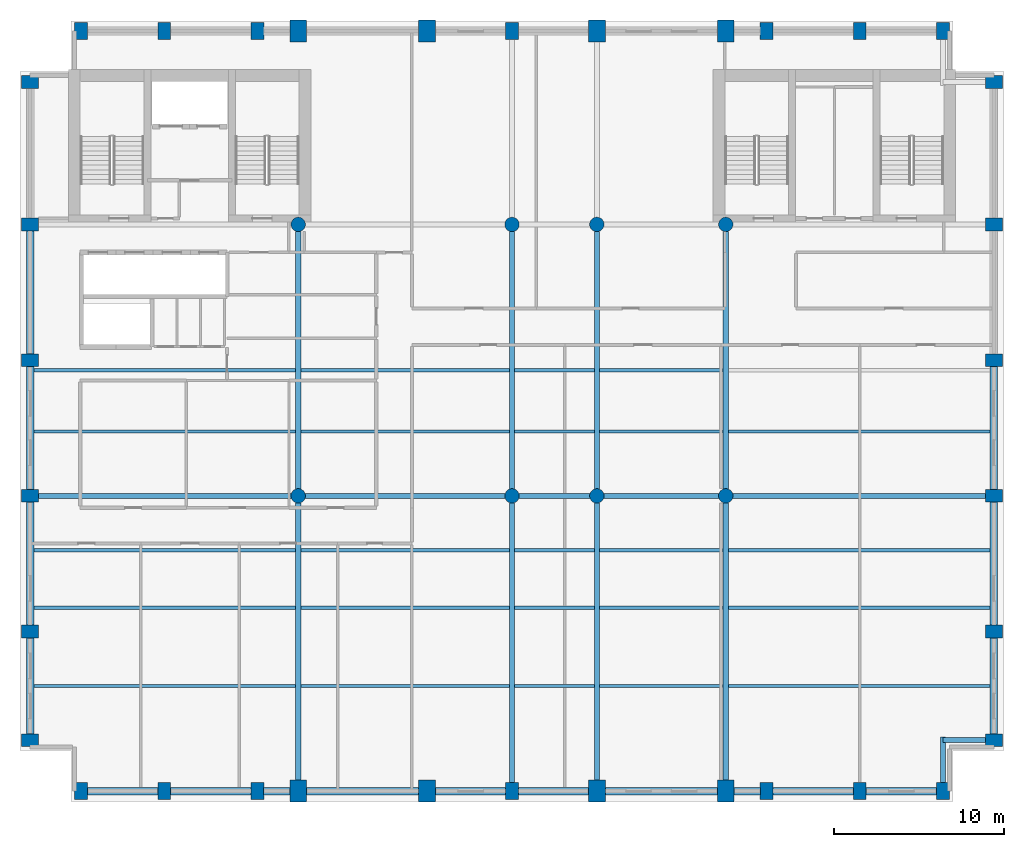
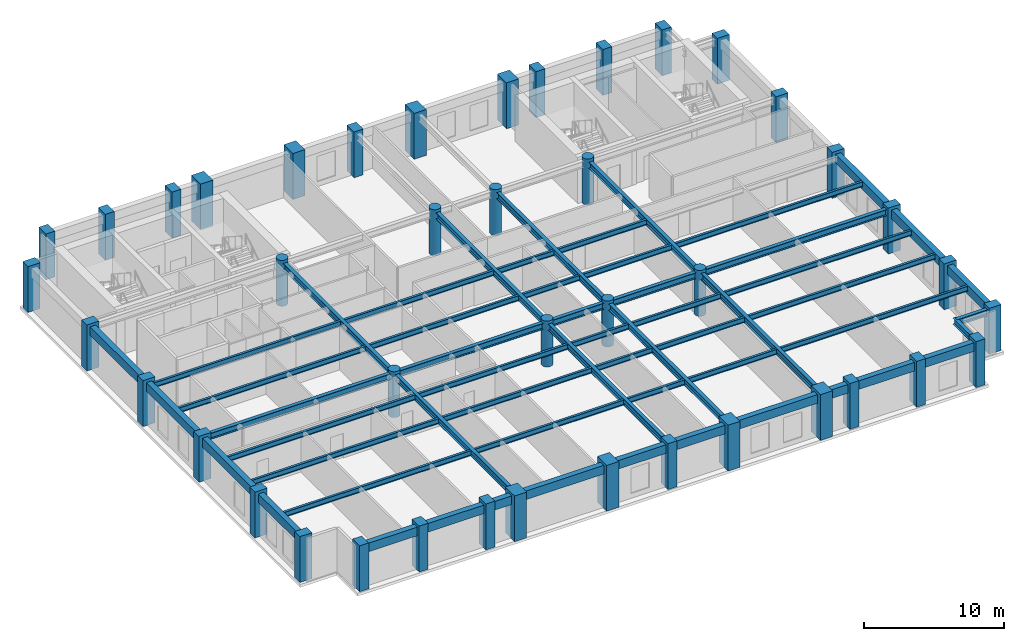
# One storey, part 1 of 8: 56 beams, 42 columns.
"""IFC4 building model written with IfcOpenShell, lengths in metres."""

from ifc_helpers import new_model, si_unit, direction, frame, origin, origin_2d, place, context, subcontext, project, spatial, rectangle, circle, i_section, extrude, material, material_profile, profile_set, type_object, element, save


model = new_model("IFC4")

# Units and contexts
model_context = context("Model", 3, precision=1e-05, world=origin(), true_north=direction((0.0, 1.0)))
body_context = subcontext(model_context, "Body", "Model", "MODEL_VIEW")
ifc_project = project(units=[si_unit("LENGTHUNIT", "METRE"), si_unit("AREAUNIT", "SQUARE_METRE"), si_unit("VOLUMEUNIT", "CUBIC_METRE"), si_unit("PLANEANGLEUNIT", "RADIAN"), si_unit("MASSUNIT", "GRAM", prefix="KILO")], contexts=[model_context])

# Site, building, storey
site_placement = place(None, origin())
site = spatial("IfcSite", under=ifc_project, at=site_placement, CompositionType="ELEMENT")
building_placement = place(site_placement, origin())
building = spatial("IfcBuilding", under=site, at=building_placement, Name="Sulina Concourse Tower", CompositionType="ELEMENT")
storey_placement = place(building_placement, frame((0.0, 0.0, 252.60009765625)))
storey = spatial("IfcBuildingStorey", under=building, at=storey_placement, Name="L61", CompositionType="ELEMENT", Elevation=252.60009765625)

# Columns
ifc_material_1 = material(Name="Precast concrete C50/60", Category="concrete")
ifc_material_profile_1 = material_profile(ifc_material_1, rectangle(XDim=0.75, YDim=1.0, at=origin_2d()), Name="PC 750x1000")
ifc_profile_set_1 = profile_set([ifc_material_profile_1], Name="Precast concrete C50/60")
column_type_1 = type_object("IfcColumnType", Name="Precast Tube Pier Zone 4 750x1000", PredefinedType="COLUMN", material=ifc_profile_set_1)
for number, where, z_axis, x_axis, name in (
    (1, (3.60009765625, 0.60009765625, 0.0), (0.0, 0.0, 1.0), (1.0, 0.0, 0.0), "L61 structural column TP-S-36"),
    (2, (3.60009765625, 45.39990234375, 0.0), (0.0, 0.0, 1.0), (1.0, 0.0, 0.0), "L61 structural column TP-N-36"),
    (3, (8.5, 0.60009765625, 0.0), (0.0, 0.0, 1.0), (1.0, 0.0, 0.0), "L61 structural column TP-S-85"),
    (4, (8.5, 45.39990234375, 0.0), (0.0, 0.0, 1.0), (1.0, 0.0, 0.0), "L61 structural column TP-N-85"),
    (5, (14.0, 0.60009765625, 0.0), (0.0, 0.0, 1.0), (1.0, 0.0, 0.0), "L61 structural column TP-S-140"),
    (6, (14.0, 45.39990234375, 0.0), (0.0, 0.0, 1.0), (1.0, 0.0, 0.0), "L61 structural column TP-N-140"),
    (7, (29.0, 0.60009765625, 0.0), (0.0, 0.0, 1.0), (1.0, 0.0, 0.0), "L61 structural column TP-S-290"),
    (8, (29.0, 45.39990234375, 0.0), (0.0, 0.0, 1.0), (1.0, 0.0, 0.0), "L61 structural column TP-N-290"),
    (9, (44.0, 0.60009765625, 0.0), (0.0, 0.0, 1.0), (1.0, 0.0, 0.0), "L61 structural column TP-S-440"),
    (10, (44.0, 45.39990234375, 0.0), (0.0, 0.0, 1.0), (1.0, 0.0, 0.0), "L61 structural column TP-N-440"),
    (11, (49.5, 0.60009765625, 0.0), (0.0, 0.0, 1.0), (1.0, 0.0, 0.0), "L61 structural column TP-S-495"),
    (12, (49.5, 45.39990234375, 0.0), (0.0, 0.0, 1.0), (1.0, 0.0, 0.0), "L61 structural column TP-N-495"),
    (13, (54.39990234375, 0.60009765625, 0.0), (0.0, 0.0, 1.0), (1.0, 0.0, 0.0), "L61 structural column TP-S-544"),
    (14, (54.39990234375, 45.39990234375, 0.0), (0.0, 0.0, 1.0), (1.0, 0.0, 0.0), "L61 structural column TP-N-544"),
    (15, (0.60009765625, 3.60009765625, 0.0), (0.0, 0.0, 1.0), (0.0, 1.0, 0.0), "L61 structural column TP-W-36"),
    (16, (57.39990234375, 3.60009765625, 0.0), (0.0, 0.0, 1.0), (0.0, 1.0, 0.0), "L61 structural column TP-E-36"),
    (17, (0.60009765625, 10.0, 0.0), (0.0, 0.0, 1.0), (0.0, 1.0, 0.0), "L61 structural column TP-W-100"),
    (18, (57.39990234375, 10.0, 0.0), (0.0, 0.0, 1.0), (0.0, 1.0, 0.0), "L61 structural column TP-E-100"),
    (19, (0.60009765625, 18.0, 0.0), (0.0, 0.0, 1.0), (0.0, 1.0, 0.0), "L61 structural column TP-W-180"),
    (20, (57.39990234375, 18.0, 0.0), (0.0, 0.0, 1.0), (0.0, 1.0, 0.0), "L61 structural column TP-E-180"),
    (21, (0.60009765625, 26.0, 0.0), (0.0, 0.0, 1.0), (0.0, 1.0, 0.0), "L61 structural column TP-W-260"),
    (22, (57.39990234375, 26.0, 0.0), (0.0, 0.0, 1.0), (0.0, 1.0, 0.0), "L61 structural column TP-E-260"),
    (23, (0.60009765625, 34.0, 0.0), (0.0, 0.0, 1.0), (0.0, 1.0, 0.0), "L61 structural column TP-W-340"),
    (24, (57.39990234375, 34.0, 0.0), (0.0, 0.0, 1.0), (0.0, 1.0, 0.0), "L61 structural column TP-E-340"),
    (25, (0.60009765625, 42.39990234375, 0.0), (0.0, 0.0, 1.0), (0.0, 1.0, 0.0), "L61 structural column TP-W-424"),
    (26, (57.39990234375, 42.39990234375, 0.0), (0.0, 0.0, 1.0), (0.0, 1.0, 0.0), "L61 structural column TP-E-424"),
):
    element("IfcColumn", number, at=place(storey_placement, frame(where, z_axis=z_axis, x_axis=x_axis)), inside=storey, type_object=column_type_1, Name=name, PredefinedType="COLUMN", context=body_context, shape_type="SweptSolid", body=[
        extrude(rectangle(XDim=0.75, YDim=1.0, at=origin_2d()), origin(), (0.0, 0.0, 1.0), 4.0),
    ])
ifc_material_2 = material(Name="Concrete C50/60", Category="concrete")
ifc_material_profile_2 = material_profile(ifc_material_2, circle(Radius=0.425048828125, at=origin_2d()), Name="RC D850")
ifc_profile_set_2 = profile_set([ifc_material_profile_2], Name="Concrete C50/60")
column_type_2 = type_object("IfcColumnType", Name="Upper Interior Circular Column D850", PredefinedType="COLUMN", material=ifc_profile_set_2)
for number, where, z_axis, x_axis, name in (
    (27, (16.39990234375, 18.0, 0.0), (0.0, 0.0, 1.0), (1.0, 0.0, 0.0), "L61 structural column IC-M-164"),
    (28, (16.39990234375, 34.0, 0.0), (0.0, 0.0, 1.0), (1.0, 0.0, 0.0), "L61 structural column IC-N-164"),
    (29, (29.0, 18.0, 0.0), (0.0, 0.0, 1.0), (1.0, 0.0, 0.0), "L61 structural column IC-M-290"),
    (30, (29.0, 34.0, 0.0), (0.0, 0.0, 1.0), (1.0, 0.0, 0.0), "L61 structural column IC-N-290"),
    (31, (41.60009765625, 18.0, 0.0), (0.0, 0.0, 1.0), (1.0, 0.0, 0.0), "L61 structural column IC-M-416"),
    (32, (41.60009765625, 34.0, 0.0), (0.0, 0.0, 1.0), (1.0, 0.0, 0.0), "L61 structural column IC-N-416"),
    (33, (34.0, 18.0, 0.0), (0.0, 0.0, 1.0), (1.0, 0.0, 0.0), "L61 structural column IC-M-340"),
    (34, (34.0, 34.0, 0.0), (0.0, 0.0, 1.0), (1.0, 0.0, 0.0), "L61 structural column IC-N-340"),
):
    element("IfcColumn", number, at=place(storey_placement, frame(where, z_axis=z_axis, x_axis=x_axis)), inside=storey, type_object=column_type_2, Name=name, PredefinedType="COLUMN", context=body_context, shape_type="SweptSolid", body=[
        extrude(circle(Radius=0.425048828125, at=origin_2d()), origin(), (0.0, 0.0, 1.0), 4.0),
    ])
ifc_material_3 = material(Name="Concrete C60/75", Category="concrete")
ifc_material_profile_3 = material_profile(ifc_material_3, rectangle(XDim=1.0, YDim=1.300048828125, at=origin_2d()), Name="RC 1000x1300")
ifc_profile_set_3 = profile_set([ifc_material_profile_3], Name="Concrete C60/75")
column_type_3 = type_object("IfcColumnType", Name="Upper Portal Column 1000x1300", PredefinedType="COLUMN", material=ifc_profile_set_3)
for number, where, z_axis, x_axis, name in (
    (35, (16.39990234375, 0.60009765625, 0.0), (0.0, 0.0, 1.0), (1.0, 0.0, 0.0), "L61 structural column TP-S-164"),
    (36, (16.39990234375, 45.39990234375, 0.0), (0.0, 0.0, 1.0), (1.0, 0.0, 0.0), "L61 structural column TP-N-164"),
    (37, (24.0, 0.60009765625, 0.0), (0.0, 0.0, 1.0), (1.0, 0.0, 0.0), "L61 structural column TP-S-240"),
    (38, (24.0, 45.39990234375, 0.0), (0.0, 0.0, 1.0), (1.0, 0.0, 0.0), "L61 structural column TP-N-240"),
    (39, (34.0, 0.60009765625, 0.0), (0.0, 0.0, 1.0), (1.0, 0.0, 0.0), "L61 structural column TP-S-340"),
    (40, (34.0, 45.39990234375, 0.0), (0.0, 0.0, 1.0), (1.0, 0.0, 0.0), "L61 structural column TP-N-340"),
    (41, (41.60009765625, 0.60009765625, 0.0), (0.0, 0.0, 1.0), (1.0, 0.0, 0.0), "L61 structural column TP-S-416"),
    (42, (41.60009765625, 45.39990234375, 0.0), (0.0, 0.0, 1.0), (1.0, 0.0, 0.0), "L61 structural column TP-N-416"),
):
    element("IfcColumn", number, at=place(storey_placement, frame(where, z_axis=z_axis, x_axis=x_axis)), inside=storey, type_object=column_type_3, Name=name, PredefinedType="COLUMN", context=body_context, shape_type="SweptSolid", body=[
        extrude(rectangle(XDim=1.0, YDim=1.300048828125, at=origin_2d()), origin(), (0.0, 0.0, 1.0), 4.0),
    ])

# Beams
ifc_material_4 = material(Name="Steel S355", Category="steel")
ifc_material_profile_4 = material_profile(ifc_material_4, i_section(OverallWidth=0.18994140625, OverallDepth=0.449951171875, WebThickness=0.009521484375, FlangeThickness=0.0146484375, at=origin_2d()), Name="IPE 450")
ifc_profile_set_4 = profile_set([ifc_material_profile_4], Name="Steel S355")
beam_type_1 = type_object("IfcBeamType", Name="Composite Floor Joist IPE450", PredefinedType="JOIST", material=ifc_profile_set_4)
beam_1_placement = place(storey_placement, frame((0.824951171875, 6.800048828125, 3.52490234375), z_axis=(1.0, 0.0, 0.0), x_axis=(0.0, 1.0, 0.0)))
element("IfcBeam", 43, at=beam_1_placement, inside=storey, type_object=beam_type_1, Name="FJ-J06-1-L61", PredefinedType="JOIST", context=body_context, shape_type="SweptSolid", body=[
    extrude(i_section(OverallWidth=0.18994140625, OverallDepth=0.449951171875, WebThickness=0.009521484375, FlangeThickness=0.0146484375, at=origin_2d()), origin(), (0.0, 0.0, 1.0), 15.425048828125),
])
beam_2_placement = place(storey_placement, frame((16.550048828125, 6.800048828125, 3.52490234375), z_axis=(1.0, 0.0, 0.0), x_axis=(0.0, 1.0, 0.0)))
element("IfcBeam", 44, at=beam_2_placement, inside=storey, type_object=beam_type_1, Name="FJ-J06-2-L61", PredefinedType="JOIST", context=body_context, shape_type="SweptSolid", body=[
    extrude(i_section(OverallWidth=0.18994140625, OverallDepth=0.449951171875, WebThickness=0.009521484375, FlangeThickness=0.0146484375, at=origin_2d()), origin(), (0.0, 0.0, 1.0), 12.300048828125),
])
beam_3_placement = place(storey_placement, frame((29.14990234375, 6.800048828125, 3.52490234375), z_axis=(1.0, 0.0, 0.0), x_axis=(0.0, 1.0, 0.0)))
element("IfcBeam", 45, at=beam_3_placement, inside=storey, type_object=beam_type_1, Name="FJ-J06-3-L61", PredefinedType="JOIST", context=body_context, shape_type="SweptSolid", body=[
    extrude(i_section(OverallWidth=0.18994140625, OverallDepth=0.449951171875, WebThickness=0.009521484375, FlangeThickness=0.0146484375, at=origin_2d()), origin(), (0.0, 0.0, 1.0), 4.7001953125),
])
beam_4_placement = place(storey_placement, frame((34.14990234375, 6.800048828125, 3.52490234375), z_axis=(1.0, 0.0, 0.0), x_axis=(0.0, 1.0, 0.0)))
element("IfcBeam", 46, at=beam_4_placement, inside=storey, type_object=beam_type_1, Name="FJ-J06-4-L61", PredefinedType="JOIST", context=body_context, shape_type="SweptSolid", body=[
    extrude(i_section(OverallWidth=0.18994140625, OverallDepth=0.449951171875, WebThickness=0.009521484375, FlangeThickness=0.0146484375, at=origin_2d()), origin(), (0.0, 0.0, 1.0), 7.300048828125),
])
for number, where, z_axis, x_axis, name in (
    (47, (41.75, 6.800048828125, 3.52490234375), (1.0, 0.0, 0.0), (0.0, 1.0, 0.0), "FJ-J06-5-L61"),
    (48, (0.824951171875, 11.39990234375, 3.52490234375), (1.0, 0.0, 0.0), (0.0, 1.0, 0.0), "FJ-J11-1-L61"),
):
    element("IfcBeam", number, at=place(storey_placement, frame(where, z_axis=z_axis, x_axis=x_axis)), inside=storey, type_object=beam_type_1, Name=name, PredefinedType="JOIST", context=body_context, shape_type="SweptSolid", body=[
        extrude(i_section(OverallWidth=0.18994140625, OverallDepth=0.449951171875, WebThickness=0.009521484375, FlangeThickness=0.0146484375, at=origin_2d()), origin(), (0.0, 0.0, 1.0), 15.425048828125),
    ])
beam_5_placement = place(storey_placement, frame((16.550048828125, 11.39990234375, 3.52490234375), z_axis=(1.0, 0.0, 0.0), x_axis=(0.0, 1.0, 0.0)))
element("IfcBeam", 49, at=beam_5_placement, inside=storey, type_object=beam_type_1, Name="FJ-J11-2-L61", PredefinedType="JOIST", context=body_context, shape_type="SweptSolid", body=[
    extrude(i_section(OverallWidth=0.18994140625, OverallDepth=0.449951171875, WebThickness=0.009521484375, FlangeThickness=0.0146484375, at=origin_2d()), origin(), (0.0, 0.0, 1.0), 12.300048828125),
])
beam_6_placement = place(storey_placement, frame((29.14990234375, 11.39990234375, 3.52490234375), z_axis=(1.0, 0.0, 0.0), x_axis=(0.0, 1.0, 0.0)))
element("IfcBeam", 50, at=beam_6_placement, inside=storey, type_object=beam_type_1, Name="FJ-J11-3-L61", PredefinedType="JOIST", context=body_context, shape_type="SweptSolid", body=[
    extrude(i_section(OverallWidth=0.18994140625, OverallDepth=0.449951171875, WebThickness=0.009521484375, FlangeThickness=0.0146484375, at=origin_2d()), origin(), (0.0, 0.0, 1.0), 4.7001953125),
])
beam_7_placement = place(storey_placement, frame((34.14990234375, 11.39990234375, 3.52490234375), z_axis=(1.0, 0.0, 0.0), x_axis=(0.0, 1.0, 0.0)))
element("IfcBeam", 51, at=beam_7_placement, inside=storey, type_object=beam_type_1, Name="FJ-J11-4-L61", PredefinedType="JOIST", context=body_context, shape_type="SweptSolid", body=[
    extrude(i_section(OverallWidth=0.18994140625, OverallDepth=0.449951171875, WebThickness=0.009521484375, FlangeThickness=0.0146484375, at=origin_2d()), origin(), (0.0, 0.0, 1.0), 7.300048828125),
])
for number, where, z_axis, x_axis, name in (
    (52, (41.75, 11.39990234375, 3.52490234375), (1.0, 0.0, 0.0), (0.0, 1.0, 0.0), "FJ-J11-5-L61"),
    (53, (0.824951171875, 14.800048828125, 3.52490234375), (1.0, 0.0, 0.0), (0.0, 1.0, 0.0), "FJ-J15-1-L61"),
):
    element("IfcBeam", number, at=place(storey_placement, frame(where, z_axis=z_axis, x_axis=x_axis)), inside=storey, type_object=beam_type_1, Name=name, PredefinedType="JOIST", context=body_context, shape_type="SweptSolid", body=[
        extrude(i_section(OverallWidth=0.18994140625, OverallDepth=0.449951171875, WebThickness=0.009521484375, FlangeThickness=0.0146484375, at=origin_2d()), origin(), (0.0, 0.0, 1.0), 15.425048828125),
    ])
beam_8_placement = place(storey_placement, frame((16.550048828125, 14.800048828125, 3.52490234375), z_axis=(1.0, 0.0, 0.0), x_axis=(0.0, 1.0, 0.0)))
element("IfcBeam", 54, at=beam_8_placement, inside=storey, type_object=beam_type_1, Name="FJ-J15-2-L61", PredefinedType="JOIST", context=body_context, shape_type="SweptSolid", body=[
    extrude(i_section(OverallWidth=0.18994140625, OverallDepth=0.449951171875, WebThickness=0.009521484375, FlangeThickness=0.0146484375, at=origin_2d()), origin(), (0.0, 0.0, 1.0), 12.300048828125),
])
beam_9_placement = place(storey_placement, frame((29.14990234375, 14.800048828125, 3.52490234375), z_axis=(1.0, 0.0, 0.0), x_axis=(0.0, 1.0, 0.0)))
element("IfcBeam", 55, at=beam_9_placement, inside=storey, type_object=beam_type_1, Name="FJ-J15-3-L61", PredefinedType="JOIST", context=body_context, shape_type="SweptSolid", body=[
    extrude(i_section(OverallWidth=0.18994140625, OverallDepth=0.449951171875, WebThickness=0.009521484375, FlangeThickness=0.0146484375, at=origin_2d()), origin(), (0.0, 0.0, 1.0), 4.7001953125),
])
beam_10_placement = place(storey_placement, frame((34.14990234375, 14.800048828125, 3.52490234375), z_axis=(1.0, 0.0, 0.0), x_axis=(0.0, 1.0, 0.0)))
element("IfcBeam", 56, at=beam_10_placement, inside=storey, type_object=beam_type_1, Name="FJ-J15-4-L61", PredefinedType="JOIST", context=body_context, shape_type="SweptSolid", body=[
    extrude(i_section(OverallWidth=0.18994140625, OverallDepth=0.449951171875, WebThickness=0.009521484375, FlangeThickness=0.0146484375, at=origin_2d()), origin(), (0.0, 0.0, 1.0), 7.300048828125),
])
for number, where, z_axis, x_axis, name in (
    (57, (41.75, 14.800048828125, 3.52490234375), (1.0, 0.0, 0.0), (0.0, 1.0, 0.0), "FJ-J15-5-L61"),
    (58, (0.824951171875, 21.800048828125, 3.52490234375), (1.0, 0.0, 0.0), (0.0, 1.0, 0.0), "FJ-J22-1-L61"),
):
    element("IfcBeam", number, at=place(storey_placement, frame(where, z_axis=z_axis, x_axis=x_axis)), inside=storey, type_object=beam_type_1, Name=name, PredefinedType="JOIST", context=body_context, shape_type="SweptSolid", body=[
        extrude(i_section(OverallWidth=0.18994140625, OverallDepth=0.449951171875, WebThickness=0.009521484375, FlangeThickness=0.0146484375, at=origin_2d()), origin(), (0.0, 0.0, 1.0), 15.425048828125),
    ])
beam_11_placement = place(storey_placement, frame((16.550048828125, 21.800048828125, 3.52490234375), z_axis=(1.0, 0.0, 0.0), x_axis=(0.0, 1.0, 0.0)))
element("IfcBeam", 59, at=beam_11_placement, inside=storey, type_object=beam_type_1, Name="FJ-J22-2-L61", PredefinedType="JOIST", context=body_context, shape_type="SweptSolid", body=[
    extrude(i_section(OverallWidth=0.18994140625, OverallDepth=0.449951171875, WebThickness=0.009521484375, FlangeThickness=0.0146484375, at=origin_2d()), origin(), (0.0, 0.0, 1.0), 12.300048828125),
])
beam_12_placement = place(storey_placement, frame((29.14990234375, 21.800048828125, 3.52490234375), z_axis=(1.0, 0.0, 0.0), x_axis=(0.0, 1.0, 0.0)))
element("IfcBeam", 60, at=beam_12_placement, inside=storey, type_object=beam_type_1, Name="FJ-J22-3-L61", PredefinedType="JOIST", context=body_context, shape_type="SweptSolid", body=[
    extrude(i_section(OverallWidth=0.18994140625, OverallDepth=0.449951171875, WebThickness=0.009521484375, FlangeThickness=0.0146484375, at=origin_2d()), origin(), (0.0, 0.0, 1.0), 4.7001953125),
])
beam_13_placement = place(storey_placement, frame((34.14990234375, 21.800048828125, 3.52490234375), z_axis=(1.0, 0.0, 0.0), x_axis=(0.0, 1.0, 0.0)))
element("IfcBeam", 61, at=beam_13_placement, inside=storey, type_object=beam_type_1, Name="FJ-J22-4-L61", PredefinedType="JOIST", context=body_context, shape_type="SweptSolid", body=[
    extrude(i_section(OverallWidth=0.18994140625, OverallDepth=0.449951171875, WebThickness=0.009521484375, FlangeThickness=0.0146484375, at=origin_2d()), origin(), (0.0, 0.0, 1.0), 7.300048828125),
])
for number, where, z_axis, x_axis, name in (
    (62, (41.75, 21.800048828125, 3.52490234375), (1.0, 0.0, 0.0), (0.0, 1.0, 0.0), "FJ-J22-5-L61"),
    (63, (0.824951171875, 25.39990234375, 3.52490234375), (1.0, 0.0, 0.0), (0.0, 1.0, 0.0), "FJ-J25-1-L61"),
):
    element("IfcBeam", number, at=place(storey_placement, frame(where, z_axis=z_axis, x_axis=x_axis)), inside=storey, type_object=beam_type_1, Name=name, PredefinedType="JOIST", context=body_context, shape_type="SweptSolid", body=[
        extrude(i_section(OverallWidth=0.18994140625, OverallDepth=0.449951171875, WebThickness=0.009521484375, FlangeThickness=0.0146484375, at=origin_2d()), origin(), (0.0, 0.0, 1.0), 15.425048828125),
    ])
beam_14_placement = place(storey_placement, frame((16.550048828125, 25.39990234375, 3.52490234375), z_axis=(1.0, 0.0, 0.0), x_axis=(0.0, 1.0, 0.0)))
element("IfcBeam", 64, at=beam_14_placement, inside=storey, type_object=beam_type_1, Name="FJ-J25-2-L61", PredefinedType="JOIST", context=body_context, shape_type="SweptSolid", body=[
    extrude(i_section(OverallWidth=0.18994140625, OverallDepth=0.449951171875, WebThickness=0.009521484375, FlangeThickness=0.0146484375, at=origin_2d()), origin(), (0.0, 0.0, 1.0), 12.300048828125),
])
beam_15_placement = place(storey_placement, frame((29.14990234375, 25.39990234375, 3.52490234375), z_axis=(1.0, 0.0, 0.0), x_axis=(0.0, 1.0, 0.0)))
element("IfcBeam", 65, at=beam_15_placement, inside=storey, type_object=beam_type_1, Name="FJ-J25-3-L61", PredefinedType="JOIST", context=body_context, shape_type="SweptSolid", body=[
    extrude(i_section(OverallWidth=0.18994140625, OverallDepth=0.449951171875, WebThickness=0.009521484375, FlangeThickness=0.0146484375, at=origin_2d()), origin(), (0.0, 0.0, 1.0), 4.7001953125),
])
beam_16_placement = place(storey_placement, frame((34.14990234375, 25.39990234375, 3.52490234375), z_axis=(1.0, 0.0, 0.0), x_axis=(0.0, 1.0, 0.0)))
element("IfcBeam", 66, at=beam_16_placement, inside=storey, type_object=beam_type_1, Name="FJ-J25-4-L61", PredefinedType="JOIST", context=body_context, shape_type="SweptSolid", body=[
    extrude(i_section(OverallWidth=0.18994140625, OverallDepth=0.449951171875, WebThickness=0.009521484375, FlangeThickness=0.0146484375, at=origin_2d()), origin(), (0.0, 0.0, 1.0), 7.300048828125),
])
ifc_material_5 = material(Name="Steel S355", Category="steel")
ifc_material_profile_5 = material_profile(ifc_material_5, i_section(OverallWidth=0.300048828125, OverallDepth=0.550048828125, WebThickness=0.014892578125, FlangeThickness=0.029052734375, at=origin_2d()), Name="HE 550 B")
ifc_profile_set_5 = profile_set([ifc_material_profile_5], Name="Steel S355")
beam_type_2 = type_object("IfcBeamType", Name="Floor Primary Girder Zone 4 HE550B", PredefinedType="BEAM", material=ifc_profile_set_5)
beam_17_placement = place(storey_placement, frame((54.39990234375, 3.60009765625, 3.474853515625), z_axis=(1.0, 0.0, 0.0), x_axis=(0.0, 1.0, 0.0)))
element("IfcBeam", 67, at=beam_17_placement, inside=storey, type_object=beam_type_2, Name="TIE-SE-L61", PredefinedType="BEAM", context=body_context, shape_type="SweptSolid", body=[
    extrude(i_section(OverallWidth=0.300048828125, OverallDepth=0.550048828125, WebThickness=0.014892578125, FlangeThickness=0.029052734375, at=origin_2d()), origin(), (0.0, 0.0, 1.0), 2.64501953125),
])
beam_18_placement = place(storey_placement, frame((54.39990234375, 0.955078125, 3.474853515625), z_axis=(0.0, 1.0, 0.0), x_axis=(-1.0, 0.0, 0.0)))
element("IfcBeam", 68, at=beam_18_placement, inside=storey, type_object=beam_type_2, Name="TIE-SES-L61", PredefinedType="BEAM", context=body_context, shape_type="SweptSolid", body=[
    extrude(i_section(OverallWidth=0.300048828125, OverallDepth=0.550048828125, WebThickness=0.014892578125, FlangeThickness=0.029052734375, at=origin_2d()), origin(), (0.0, 0.0, 1.0), 2.844970703125),
])
beam_19_placement = place(storey_placement, frame((0.955078125, 18.0, 3.474853515625), z_axis=(1.0, 0.0, 0.0), x_axis=(0.0, 1.0, 0.0)))
element("IfcBeam", 69, at=beam_19_placement, inside=storey, type_object=beam_type_2, Name="FG-EW1-L61", PredefinedType="BEAM", context=body_context, shape_type="SweptSolid", body=[
    extrude(i_section(OverallWidth=0.300048828125, OverallDepth=0.550048828125, WebThickness=0.014892578125, FlangeThickness=0.029052734375, at=origin_2d()), origin(), (0.0, 0.0, 1.0), 15.0400390625),
])
beam_20_placement = place(storey_placement, frame((16.804931640625, 18.0, 3.474853515625), z_axis=(1.0, 0.0, 0.0), x_axis=(0.0, 1.0, 0.0)))
element("IfcBeam", 70, at=beam_20_placement, inside=storey, type_object=beam_type_2, Name="FG-EW2-L61", PredefinedType="BEAM", context=body_context, shape_type="SweptSolid", body=[
    extrude(i_section(OverallWidth=0.300048828125, OverallDepth=0.550048828125, WebThickness=0.014892578125, FlangeThickness=0.029052734375, at=origin_2d()), origin(), (0.0, 0.0, 1.0), 11.7900390625),
])
beam_21_placement = place(storey_placement, frame((29.405029296875, 18.0, 3.474853515625), z_axis=(1.0, 0.0, 0.0), x_axis=(0.0, 1.0, 0.0)))
element("IfcBeam", 71, at=beam_21_placement, inside=storey, type_object=beam_type_2, Name="FG-EW3-L61", PredefinedType="BEAM", context=body_context, shape_type="SweptSolid", body=[
    extrude(i_section(OverallWidth=0.300048828125, OverallDepth=0.550048828125, WebThickness=0.014892578125, FlangeThickness=0.029052734375, at=origin_2d()), origin(), (0.0, 0.0, 1.0), 4.18994140625),
])
beam_22_placement = place(storey_placement, frame((34.405029296875, 18.0, 3.474853515625), z_axis=(1.0, 0.0, 0.0), x_axis=(0.0, 1.0, 0.0)))
element("IfcBeam", 72, at=beam_22_placement, inside=storey, type_object=beam_type_2, Name="FG-EW4-L61", PredefinedType="BEAM", context=body_context, shape_type="SweptSolid", body=[
    extrude(i_section(OverallWidth=0.300048828125, OverallDepth=0.550048828125, WebThickness=0.014892578125, FlangeThickness=0.029052734375, at=origin_2d()), origin(), (0.0, 0.0, 1.0), 6.7900390625),
])
beam_23_placement = place(storey_placement, frame((42.0048828125, 18.0, 3.474853515625), z_axis=(1.0, 0.0, 0.0), x_axis=(0.0, 1.0, 0.0)))
element("IfcBeam", 73, at=beam_23_placement, inside=storey, type_object=beam_type_2, Name="FG-EW5-L61", PredefinedType="BEAM", context=body_context, shape_type="SweptSolid", body=[
    extrude(i_section(OverallWidth=0.300048828125, OverallDepth=0.550048828125, WebThickness=0.014892578125, FlangeThickness=0.029052734375, at=origin_2d()), origin(), (0.0, 0.0, 1.0), 15.0400390625),
])
beam_24_placement = place(storey_placement, frame((16.39990234375, 1.080078125, 3.474853515625), z_axis=(0.0, 1.0, 0.0), x_axis=(-1.0, 0.0, 0.0)))
element("IfcBeam", 74, at=beam_24_placement, inside=storey, type_object=beam_type_2, Name="FG-NSA-16-L61", PredefinedType="BEAM", context=body_context, shape_type="SweptSolid", body=[
    extrude(i_section(OverallWidth=0.300048828125, OverallDepth=0.550048828125, WebThickness=0.014892578125, FlangeThickness=0.029052734375, at=origin_2d()), origin(), (0.0, 0.0, 1.0), 16.514892578125),
])
beam_25_placement = place(storey_placement, frame((16.39990234375, 18.405029296875, 3.474853515625), z_axis=(0.0, 1.0, 0.0), x_axis=(-1.0, 0.0, 0.0)))
element("IfcBeam", 75, at=beam_25_placement, inside=storey, type_object=beam_type_2, Name="FG-NSB-16-L61", PredefinedType="BEAM", context=body_context, shape_type="SweptSolid", body=[
    extrude(i_section(OverallWidth=0.300048828125, OverallDepth=0.550048828125, WebThickness=0.014892578125, FlangeThickness=0.029052734375, at=origin_2d()), origin(), (0.0, 0.0, 1.0), 15.18994140625),
])
beam_26_placement = place(storey_placement, frame((29.0, 0.955078125, 3.474853515625), z_axis=(0.0, 1.0, 0.0), x_axis=(-1.0, 0.0, 0.0)))
element("IfcBeam", 76, at=beam_26_placement, inside=storey, type_object=beam_type_2, Name="FG-NSA-29-L61", PredefinedType="BEAM", context=body_context, shape_type="SweptSolid", body=[
    extrude(i_section(OverallWidth=0.300048828125, OverallDepth=0.550048828125, WebThickness=0.014892578125, FlangeThickness=0.029052734375, at=origin_2d()), origin(), (0.0, 0.0, 1.0), 16.639892578125),
])
beam_27_placement = place(storey_placement, frame((29.0, 18.405029296875, 3.474853515625), z_axis=(0.0, 1.0, 0.0), x_axis=(-1.0, 0.0, 0.0)))
element("IfcBeam", 77, at=beam_27_placement, inside=storey, type_object=beam_type_2, Name="FG-NSB-29-L61", PredefinedType="BEAM", context=body_context, shape_type="SweptSolid", body=[
    extrude(i_section(OverallWidth=0.300048828125, OverallDepth=0.550048828125, WebThickness=0.014892578125, FlangeThickness=0.029052734375, at=origin_2d()), origin(), (0.0, 0.0, 1.0), 15.18994140625),
])
beam_28_placement = place(storey_placement, frame((34.0, 1.080078125, 3.474853515625), z_axis=(0.0, 1.0, 0.0), x_axis=(-1.0, 0.0, 0.0)))
element("IfcBeam", 78, at=beam_28_placement, inside=storey, type_object=beam_type_2, Name="FG-NSA-34-L61", PredefinedType="BEAM", context=body_context, shape_type="SweptSolid", body=[
    extrude(i_section(OverallWidth=0.300048828125, OverallDepth=0.550048828125, WebThickness=0.014892578125, FlangeThickness=0.029052734375, at=origin_2d()), origin(), (0.0, 0.0, 1.0), 16.514892578125),
])
beam_29_placement = place(storey_placement, frame((34.0, 18.405029296875, 3.474853515625), z_axis=(0.0, 1.0, 0.0), x_axis=(-1.0, 0.0, 0.0)))
element("IfcBeam", 79, at=beam_29_placement, inside=storey, type_object=beam_type_2, Name="FG-NSB-34-L61", PredefinedType="BEAM", context=body_context, shape_type="SweptSolid", body=[
    extrude(i_section(OverallWidth=0.300048828125, OverallDepth=0.550048828125, WebThickness=0.014892578125, FlangeThickness=0.029052734375, at=origin_2d()), origin(), (0.0, 0.0, 1.0), 15.18994140625),
])
beam_30_placement = place(storey_placement, frame((41.60009765625, 1.080078125, 3.474853515625), z_axis=(0.0, 1.0, 0.0), x_axis=(-1.0, 0.0, 0.0)))
element("IfcBeam", 80, at=beam_30_placement, inside=storey, type_object=beam_type_2, Name="FG-NSA-41-L61", PredefinedType="BEAM", context=body_context, shape_type="SweptSolid", body=[
    extrude(i_section(OverallWidth=0.300048828125, OverallDepth=0.550048828125, WebThickness=0.014892578125, FlangeThickness=0.029052734375, at=origin_2d()), origin(), (0.0, 0.0, 1.0), 16.514892578125),
])
beam_31_placement = place(storey_placement, frame((41.60009765625, 18.405029296875, 3.474853515625), z_axis=(0.0, 1.0, 0.0), x_axis=(-1.0, 0.0, 0.0)))
element("IfcBeam", 81, at=beam_31_placement, inside=storey, type_object=beam_type_2, Name="FG-NSB-41-L61", PredefinedType="BEAM", context=body_context, shape_type="SweptSolid", body=[
    extrude(i_section(OverallWidth=0.300048828125, OverallDepth=0.550048828125, WebThickness=0.014892578125, FlangeThickness=0.029052734375, at=origin_2d()), origin(), (0.0, 0.0, 1.0), 15.18994140625),
])
ifc_material_6 = material(Name="Precast concrete C50/60", Category="concrete")
ifc_material_profile_6 = material_profile(ifc_material_6, rectangle(XDim=0.449951171875, YDim=0.75, at=origin_2d()), Name="RC 450x750")
ifc_profile_set_6 = profile_set([ifc_material_profile_6], Name="Precast concrete C50/60")
beam_type_3 = type_object("IfcBeamType", Name="Upper Precast Spandrel Edge Beam 450x750", PredefinedType="BEAM", material=ifc_profile_set_6)
beam_32_placement = place(storey_placement, frame((3.955078125, 0.60009765625, 3.375), z_axis=(1.0, 0.0, 0.0), x_axis=(0.0, 1.0, 0.0)))
element("IfcBeam", 82, at=beam_32_placement, inside=storey, type_object=beam_type_3, Name="SP-S1-L61", PredefinedType="BEAM", context=body_context, shape_type="SweptSolid", body=[
    extrude(rectangle(XDim=0.449951171875, YDim=0.75, at=origin_2d()), origin(), (0.0, 0.0, 1.0), 4.18994140625),
])
beam_33_placement = place(storey_placement, frame((8.85498046875, 0.60009765625, 3.375), z_axis=(1.0, 0.0, 0.0), x_axis=(0.0, 1.0, 0.0)))
element("IfcBeam", 83, at=beam_33_placement, inside=storey, type_object=beam_type_3, Name="SP-S2-L61", PredefinedType="BEAM", context=body_context, shape_type="SweptSolid", body=[
    extrude(rectangle(XDim=0.449951171875, YDim=0.75, at=origin_2d()), origin(), (0.0, 0.0, 1.0), 4.7900390625),
])
beam_34_placement = place(storey_placement, frame((14.35498046875, 0.60009765625, 3.375), z_axis=(1.0, 0.0, 0.0), x_axis=(0.0, 1.0, 0.0)))
element("IfcBeam", 84, at=beam_34_placement, inside=storey, type_object=beam_type_3, Name="SP-S3-L61", PredefinedType="BEAM", context=body_context, shape_type="SweptSolid", body=[
    extrude(rectangle(XDim=0.449951171875, YDim=0.75, at=origin_2d()), origin(), (0.0, 0.0, 1.0), 1.56494140625),
])
beam_35_placement = place(storey_placement, frame((16.8798828125, 0.60009765625, 3.375), z_axis=(1.0, 0.0, 0.0), x_axis=(0.0, 1.0, 0.0)))
element("IfcBeam", 85, at=beam_35_placement, inside=storey, type_object=beam_type_3, Name="SP-S4-L61", PredefinedType="BEAM", context=body_context, shape_type="SweptSolid", body=[
    extrude(rectangle(XDim=0.449951171875, YDim=0.75, at=origin_2d()), origin(), (0.0, 0.0, 1.0), 6.64013671875),
])
for number, where, z_axis, x_axis, name in (
    (86, (24.47998046875, 0.60009765625, 3.375), (1.0, 0.0, 0.0), (0.0, 1.0, 0.0), "SP-S5-L61"),
    (87, (29.35498046875, 0.60009765625, 3.375), (1.0, 0.0, 0.0), (0.0, 1.0, 0.0), "SP-S6-L61"),
):
    element("IfcBeam", number, at=place(storey_placement, frame(where, z_axis=z_axis, x_axis=x_axis)), inside=storey, type_object=beam_type_3, Name=name, PredefinedType="BEAM", context=body_context, shape_type="SweptSolid", body=[
        extrude(rectangle(XDim=0.449951171875, YDim=0.75, at=origin_2d()), origin(), (0.0, 0.0, 1.0), 4.1650390625),
    ])
beam_36_placement = place(storey_placement, frame((34.47998046875, 0.60009765625, 3.375), z_axis=(1.0, 0.0, 0.0), x_axis=(0.0, 1.0, 0.0)))
element("IfcBeam", 88, at=beam_36_placement, inside=storey, type_object=beam_type_3, Name="SP-S7-L61", PredefinedType="BEAM", context=body_context, shape_type="SweptSolid", body=[
    extrude(rectangle(XDim=0.449951171875, YDim=0.75, at=origin_2d()), origin(), (0.0, 0.0, 1.0), 6.64013671875),
])
beam_37_placement = place(storey_placement, frame((42.080078125, 0.60009765625, 3.375), z_axis=(1.0, 0.0, 0.0), x_axis=(0.0, 1.0, 0.0)))
element("IfcBeam", 89, at=beam_37_placement, inside=storey, type_object=beam_type_3, Name="SP-S8-L61", PredefinedType="BEAM", context=body_context, shape_type="SweptSolid", body=[
    extrude(rectangle(XDim=0.449951171875, YDim=0.75, at=origin_2d()), origin(), (0.0, 0.0, 1.0), 1.56494140625),
])
beam_38_placement = place(storey_placement, frame((44.35498046875, 0.60009765625, 3.375), z_axis=(1.0, 0.0, 0.0), x_axis=(0.0, 1.0, 0.0)))
element("IfcBeam", 90, at=beam_38_placement, inside=storey, type_object=beam_type_3, Name="SP-S9-L61", PredefinedType="BEAM", context=body_context, shape_type="SweptSolid", body=[
    extrude(rectangle(XDim=0.449951171875, YDim=0.75, at=origin_2d()), origin(), (0.0, 0.0, 1.0), 4.7900390625),
])
beam_39_placement = place(storey_placement, frame((49.85498046875, 0.60009765625, 3.375), z_axis=(1.0, 0.0, 0.0), x_axis=(0.0, 1.0, 0.0)))
element("IfcBeam", 91, at=beam_39_placement, inside=storey, type_object=beam_type_3, Name="SP-S10-L61", PredefinedType="BEAM", context=body_context, shape_type="SweptSolid", body=[
    extrude(rectangle(XDim=0.449951171875, YDim=0.75, at=origin_2d()), origin(), (0.0, 0.0, 1.0), 4.18994140625),
])
beam_40_placement = place(storey_placement, frame((0.60009765625, 3.955078125, 3.375), z_axis=(0.0, 1.0, 0.0), x_axis=(-1.0, 0.0, 0.0)))
element("IfcBeam", 92, at=beam_40_placement, inside=storey, type_object=beam_type_3, Name="SP-W1-L61", PredefinedType="BEAM", context=body_context, shape_type="SweptSolid", body=[
    extrude(rectangle(XDim=0.449951171875, YDim=0.75, at=origin_2d()), origin(), (0.0, 0.0, 1.0), 5.68994140625),
])
for number, where, z_axis, x_axis, name in (
    (93, (0.60009765625, 10.35498046875, 3.375), (0.0, 1.0, 0.0), (-1.0, 0.0, 0.0), "SP-W2-L61"),
    (94, (0.60009765625, 18.35498046875, 3.375), (0.0, 1.0, 0.0), (-1.0, 0.0, 0.0), "SP-W3-L61"),
    (95, (0.60009765625, 26.35498046875, 3.375), (0.0, 1.0, 0.0), (-1.0, 0.0, 0.0), "SP-W4-L61"),
):
    element("IfcBeam", number, at=place(storey_placement, frame(where, z_axis=z_axis, x_axis=x_axis)), inside=storey, type_object=beam_type_3, Name=name, PredefinedType="BEAM", context=body_context, shape_type="SweptSolid", body=[
        extrude(rectangle(XDim=0.449951171875, YDim=0.75, at=origin_2d()), origin(), (0.0, 0.0, 1.0), 7.2900390625),
    ])
beam_41_placement = place(storey_placement, frame((57.39990234375, 3.955078125, 3.375), z_axis=(0.0, 1.0, 0.0), x_axis=(-1.0, 0.0, 0.0)))
element("IfcBeam", 96, at=beam_41_placement, inside=storey, type_object=beam_type_3, Name="SP-E1-L61", PredefinedType="BEAM", context=body_context, shape_type="SweptSolid", body=[
    extrude(rectangle(XDim=0.449951171875, YDim=0.75, at=origin_2d()), origin(), (0.0, 0.0, 1.0), 5.68994140625),
])
for number, where, z_axis, x_axis, name in (
    (97, (57.39990234375, 10.35498046875, 3.375), (0.0, 1.0, 0.0), (-1.0, 0.0, 0.0), "SP-E2-L61"),
    (98, (57.39990234375, 18.35498046875, 3.375), (0.0, 1.0, 0.0), (-1.0, 0.0, 0.0), "SP-E3-L61"),
):
    element("IfcBeam", number, at=place(storey_placement, frame(where, z_axis=z_axis, x_axis=x_axis)), inside=storey, type_object=beam_type_3, Name=name, PredefinedType="BEAM", context=body_context, shape_type="SweptSolid", body=[
        extrude(rectangle(XDim=0.449951171875, YDim=0.75, at=origin_2d()), origin(), (0.0, 0.0, 1.0), 7.2900390625),
    ])

save(model, "model.ifc")
